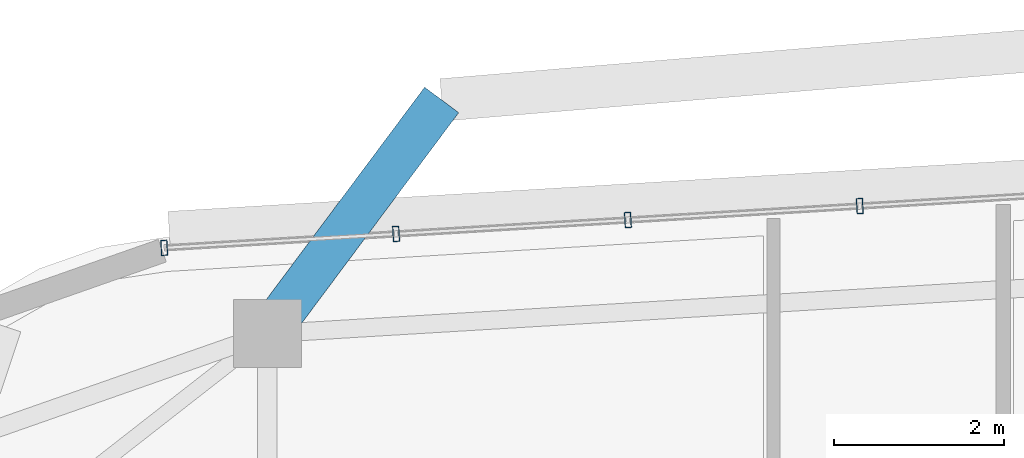
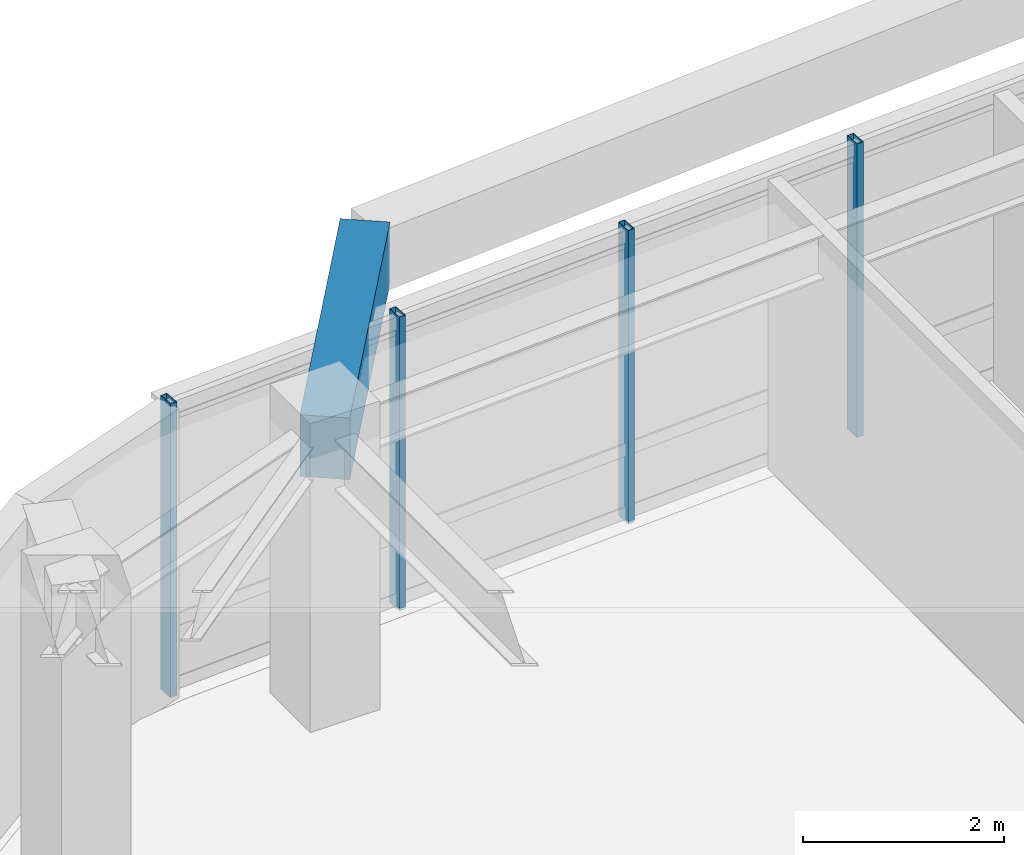
# One storey, part 2 of 12: 4 members, 1 beam, 1 element without a shape of its own.
"""IFC4 building model written with IfcOpenShell, lengths in metres."""

from ifc_helpers import new_model, si_unit, direction, frame, origin, origin_2d, place, context, subcontext, project, spatial, rectangle, hollow_rectangle, extrude, material, material_profile, profile_set, type_object, element, aggregate, save


model = new_model("IFC4")

# Units and contexts
model_context = context("Model", 3, precision=1e-05, world=origin(), true_north=direction((0.0, 1.0)))
body_context = subcontext(model_context, "Body", "Model", "MODEL_VIEW")
ifc_project = project(units=[si_unit("LENGTHUNIT", "METRE"), si_unit("AREAUNIT", "SQUARE_METRE"), si_unit("VOLUMEUNIT", "CUBIC_METRE"), si_unit("PLANEANGLEUNIT", "RADIAN"), si_unit("MASSUNIT", "GRAM", prefix="KILO")], contexts=[model_context])

# Site, building, storey
site_placement = place(None, origin())
site = spatial("IfcSite", under=ifc_project, at=site_placement, CompositionType="ELEMENT")
building_placement = place(site_placement, origin())
building = spatial("IfcBuilding", under=site, at=building_placement, Name="Zulverin Broadcast Headquarters", CompositionType="ELEMENT")
storey_placement = place(building_placement, frame((0.0, 0.0, 263.0)))
storey = spatial("IfcBuildingStorey", under=building, at=storey_placement, Name="L67", CompositionType="ELEMENT", Elevation=263.0)

# Beam
ifc_material_1 = material(Name="Concrete C40/50", Category="concrete")
ifc_material_profile_1 = material_profile(ifc_material_1, rectangle(XDim=0.5, YDim=0.75, at=origin_2d()), Name="Concrete C40/50", Category="concrete")
ifc_profile_set_1 = profile_set([ifc_material_profile_1], Name="Concrete C40/50")
beam_type = type_object("IfcBeamType", Name="BM-RC-500x750", PredefinedType="BEAM", material=ifc_profile_set_1)
beam_placement = place(storey_placement, frame((29.70068359375, 46.64111328125, 3.135009765625), z_axis=(0.597786638616, 0.801655246781, 0.0), x_axis=(-0.801655246781, 0.597786638616, 0.0)))
element("IfcBeam", 1, at=beam_placement, inside=storey, type_object=beam_type, Name="L68 Balcony Column-Framed Cantilever BAL_N-2", PredefinedType="BEAM", context=body_context, shape_type="SweptSolid", body=[
    extrude(rectangle(XDim=0.5, YDim=0.75, at=origin_2d()), origin(), (0.0, 0.0, 1.0), 3.42724609375),
])

# Curtain wall, members
ifc_material_2 = material(Name="High-zone solar-control unitised curtain wall", Category="aluminium")
curtain_wall_type = type_object("IfcCurtainWallType", Name="CW-TWR-UPP", PredefinedType="USERDEFINED", material=ifc_material_2)
curtain_wall_placement = place(storey_placement, origin())
curtain_wall = element("IfcCurtainWall", 2, at=curtain_wall_placement, inside=storey, type_object=curtain_wall_type, Name="L67 Unitised Curtain Wall CW-L67-E5", ObjectType="UNITISED CURTAIN WALL", PredefinedType="USERDEFINED")
ifc_material_3 = material(Name="Anodized pale-metal aluminium alloy 6063-T6", Category="aluminium")
ifc_material_profile_2 = material_profile(ifc_material_3, hollow_rectangle(XDim=0.074951171875, YDim=0.179931640625, WallThickness=0.0048828125, at=origin_2d()), Name="Anodized pale-metal aluminium alloy 6063-T6", Category="aluminium")
ifc_profile_set_2 = profile_set([ifc_material_profile_2], Name="Anodized pale-metal aluminium alloy 6063-T6")
member_type = type_object("IfcMemberType", Name="CW-MUL-180", PredefinedType="MULLION", material=ifc_profile_set_2)
member_1_placement = place(storey_placement, frame((36.663818359375, 48.14111328125, -0.030029296875), z_axis=(0.0, 0.0, 1.0), x_axis=(-0.99820257679, -0.059930090026, 0.0)))
member_1 = element("IfcMember", 3, at=member_1_placement, type_object=member_type, Name="CW-L67-E5 Mullion 04", PredefinedType="MULLION", context=body_context, shape_type="SweptSolid", body=[
    extrude(hollow_rectangle(XDim=0.074951171875, YDim=0.179931640625, WallThickness=0.0048828125, at=origin_2d()), origin(), (0.0, 0.0, 1.0), 3.570068359375),
])
member_2_placement = place(storey_placement, frame((33.9384765625, 47.977294921875, -0.030029296875), z_axis=(0.0, 0.0, 1.0), x_axis=(-0.99820257679, -0.059930090026, 0.0)))
member_2 = element("IfcMember", 4, at=member_2_placement, type_object=member_type, Name="CW-L67-E5 Mullion 05", PredefinedType="MULLION", context=body_context, shape_type="SweptSolid", body=[
    extrude(hollow_rectangle(XDim=0.074951171875, YDim=0.179931640625, WallThickness=0.0048828125, at=origin_2d()), origin(), (0.0, 0.0, 1.0), 3.570068359375),
])
member_3_placement = place(storey_placement, frame((31.21337890625, 47.813720703125, -0.030029296875), z_axis=(0.0, 0.0, 1.0), x_axis=(-0.99820257679, -0.059930090026, 0.0)))
member_3 = element("IfcMember", 5, at=member_3_placement, type_object=member_type, Name="CW-L67-E5 Mullion 06", PredefinedType="MULLION", context=body_context, shape_type="SweptSolid", body=[
    extrude(hollow_rectangle(XDim=0.074951171875, YDim=0.179931640625, WallThickness=0.0048828125, at=origin_2d()), origin(), (0.0, 0.0, 1.0), 3.570068359375),
])
member_4_placement = place(storey_placement, frame((28.488037109375, 47.650146484375, -0.030029296875), z_axis=(0.0, 0.0, 1.0), x_axis=(-0.99820257679, -0.059930090026, 0.0)))
member_4 = element("IfcMember", 6, at=member_4_placement, type_object=member_type, Name="CW-L67-E5 Mullion 07", PredefinedType="MULLION", context=body_context, shape_type="SweptSolid", body=[
    extrude(hollow_rectangle(XDim=0.074951171875, YDim=0.179931640625, WallThickness=0.0048828125, at=origin_2d()), origin(), (0.0, 0.0, 1.0), 3.570068359375),
])
aggregate(curtain_wall, [member_1, member_2, member_3, member_4])

save(model, "model.ifc")
